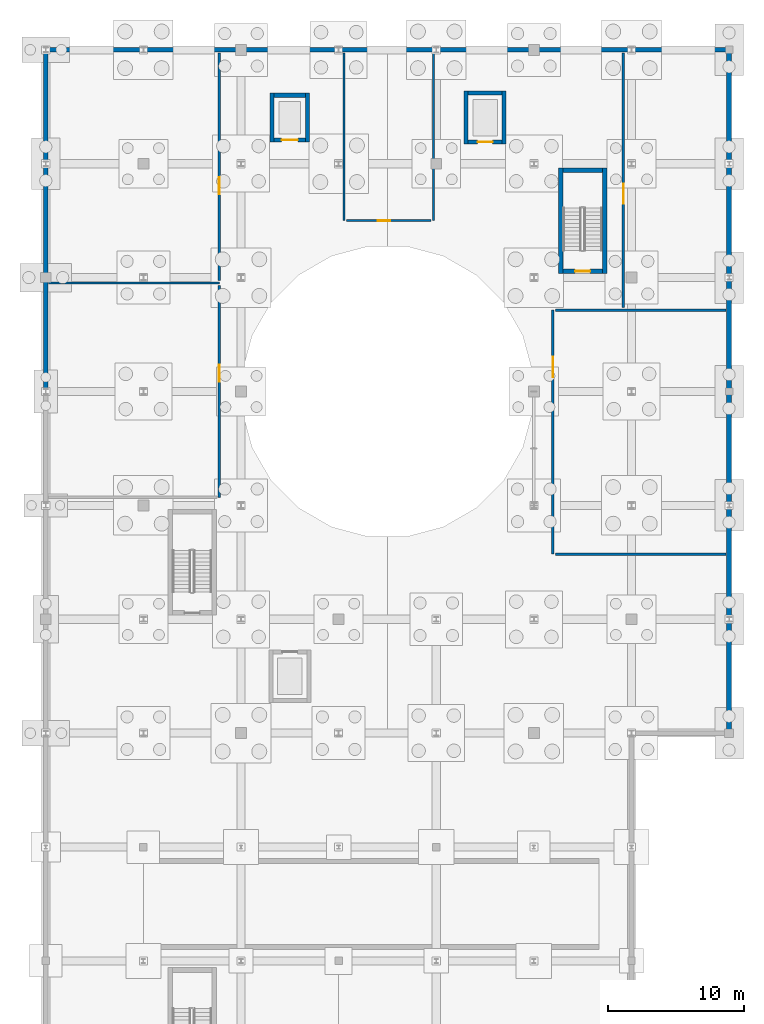
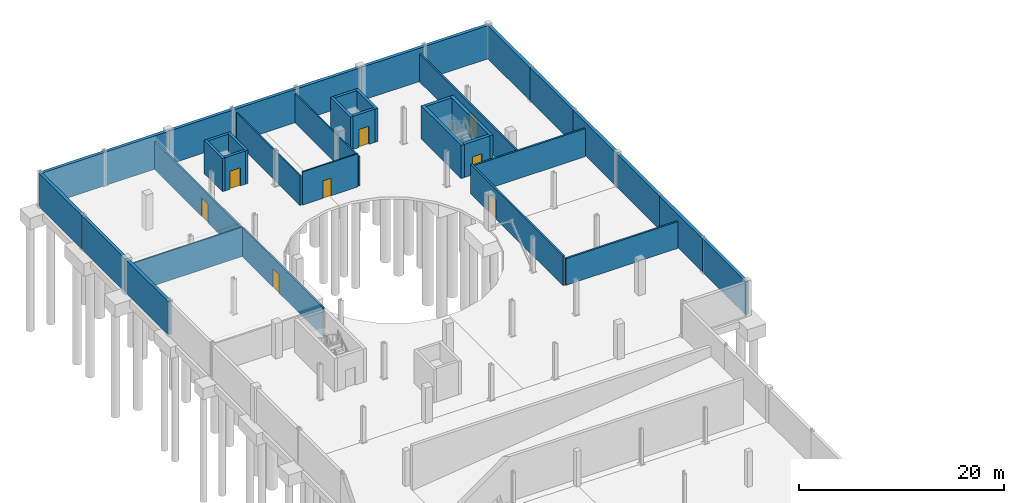
# One storey, part 23 of 32: 38 walls, 8 doors, 8 openings.
"""IFC4 building model written with IfcOpenShell, lengths in metres."""

from ifc_helpers import new_model, si_unit, direction, frame, frame_2d, origin, place, context, subcontext, project, spatial, rectangle, extrude, material, layer, layer_set, type_object, element, fill, save


model = new_model("IFC4")

# Units and contexts
model_context = context("Model", 3, precision=1e-05, world=origin(), true_north=direction((0.0, 1.0)))
body_context = subcontext(model_context, "Body", "Model", "MODEL_VIEW")
ifc_project = project(units=[si_unit("LENGTHUNIT", "METRE"), si_unit("AREAUNIT", "SQUARE_METRE"), si_unit("VOLUMEUNIT", "CUBIC_METRE"), si_unit("PLANEANGLEUNIT", "RADIAN"), si_unit("MASSUNIT", "GRAM", prefix="KILO")], contexts=[model_context])

# Site, building, storey
site_placement = place(None, origin())
site = spatial("IfcSite", under=ifc_project, at=site_placement, CompositionType="ELEMENT")
building_placement = place(site_placement, origin())
building = spatial("IfcBuilding", under=site, at=building_placement, Name="Qelthora Terrace Specialist Clinic", CompositionType="ELEMENT")
storey_placement = place(building_placement, frame((0.0, 0.0, -4.199951171875)))
storey = spatial("IfcBuildingStorey", under=building, at=storey_placement, Name="B1", CompositionType="ELEMENT", Elevation=-4.199951171875)

# Walls
ifc_material_1 = material(Name="Concrete C40/50", Category="concrete")
ifc_layer_1 = layer(ifc_material_1, 0.300048828125)
ifc_layer_set_1 = layer_set([ifc_layer_1], Name="Concrete C40/50")
wall_type_1 = type_object("IfcWallType", Name="WAL-CORE-300-C40", PredefinedType="SHEAR", material=ifc_layer_set_1)
for number, where, z_axis, x_axis, name in (
    (1, (31.0, 102.25, 0.0), (0.0, 0.0, 1.0), (0.0, 1.0, 0.0), "Lift SL-02 B1 west shaft wall"),
    (2, (33.800048828125, 102.25, 0.0), (0.0, 0.0, 1.0), (0.0, 1.0, 0.0), "Lift SL-02 B1 east shaft wall"),
):
    element("IfcWall", number, at=place(storey_placement, frame(where, z_axis=z_axis, x_axis=x_axis)), inside=storey, type_object=wall_type_1, Name=name, PredefinedType="SHEAR", context=body_context, shape_type="SweptSolid", body=[
        extrude(rectangle(XDim=3.89990234375, YDim=0.300048828125, at=frame_2d((1.949951171875, 0.0))), origin(), (0.0, 0.0, 1.0), 3.9599609375),
    ])
wall_1_placement = place(storey_placement, frame((31.14990234375, 106.0, 0.0), z_axis=(0.0, 0.0, 1.0), x_axis=(1.0, 0.0, 0.0)))
element("IfcWall", 3, at=wall_1_placement, inside=storey, type_object=wall_type_1, Name="Lift SL-02 B1 north shaft wall", PredefinedType="SHEAR", context=body_context, shape_type="SweptSolid", body=[
    extrude(rectangle(XDim=2.5, YDim=0.300048828125, at=frame_2d((1.25, 0.0))), origin(), (0.0, 0.0, 1.0), 3.9599609375),
])

# Wall, opening, door
wall_2_placement = place(storey_placement, frame((31.14990234375, 102.39990234375, 0.0), z_axis=(0.0, 0.0, 1.0), x_axis=(1.0, 0.0, 0.0)))
wall_2 = element("IfcWall", 4, at=wall_2_placement, inside=storey, type_object=wall_type_1, Name="Lift SL-02 B1 south shaft wall", PredefinedType="SHEAR", context=body_context, shape_type="SweptSolid", body=[
    extrude(rectangle(XDim=2.5, YDim=0.300048828125, at=frame_2d((1.25, 0.0))), origin(), (0.0, 0.0, 1.0), 3.9599609375),
])
opening_1_placement = place(wall_2_placement, frame((0.699951171875, 0.0, 0.0)))
opening_1 = element("IfcOpeningElement", 5, at=opening_1_placement, cuts=wall_2, Name="Opening LD-SL-02-B1", PredefinedType="OPENING", context=body_context, shape_type="SweptSolid", body=[
    extrude(rectangle(XDim=1.10009765625, YDim=2.14990234375, at=frame_2d((0.550048828125, 1.074951171875))), frame((0.0, 0.159912109375, 0.0), z_axis=(0.0, -1.0, 0.0), x_axis=(1.0, 0.0, 0.0)), (0.0, 0.0, 1.0), 0.320068359375),
])
ifc_material_2 = material(Name="Steel S355", Category="steel")
door_type_1 = type_object("IfcDoorType", Name="DOR-LIFT-1100X2150", OperationType="NOTDEFINED", PredefinedType="DOOR", material=ifc_material_2)
door_1_placement = place(opening_1_placement, origin())
door_1 = element("IfcDoor", 6, at=door_1_placement, inside=storey, type_object=door_type_1, Name="Lift landing sliding door LD-SL-02-B1", OperationType="DOUBLE_DOOR_SLIDING", OverallHeight=2.14990234375, OverallWidth=1.10009765625, PredefinedType="DOOR", context=body_context, shape_type="SweptSolid", body=[
    extrude(rectangle(XDim=1.10009765625, YDim=2.14990234375, at=frame_2d((0.550048828125, 1.074951171875))), frame((0.0, 0.02490234375, 0.0), z_axis=(0.0, -1.0, 0.0), x_axis=(1.0, 0.0, 0.0)), (0.0, 0.0, 1.0), 0.050048828125),
])
fill(opening_1, door_1)

# Walls
for number, where, z_axis, x_axis, name in (
    (7, (16.699951171875, 102.39990234375, 0.0), (0.0, 0.0, 1.0), (0.0, 1.0, 0.0), "Lift GL-01 B1 west shaft wall"),
    (8, (19.300048828125, 102.39990234375, 0.0), (0.0, 0.0, 1.0), (0.0, 1.0, 0.0), "Lift GL-01 B1 east shaft wall"),
):
    element("IfcWall", number, at=place(storey_placement, frame(where, z_axis=z_axis, x_axis=x_axis)), inside=storey, type_object=wall_type_1, Name=name, PredefinedType="SHEAR", context=body_context, shape_type="SweptSolid", body=[
        extrude(rectangle(XDim=3.60009765625, YDim=0.300048828125, at=frame_2d((1.800048828125, 0.0))), origin(), (0.0, 0.0, 1.0), 3.9599609375),
    ])
wall_3_placement = place(storey_placement, frame((16.85009765625, 105.85009765625, 0.0), z_axis=(0.0, 0.0, 1.0), x_axis=(1.0, 0.0, 0.0)))
element("IfcWall", 9, at=wall_3_placement, inside=storey, type_object=wall_type_1, Name="Lift GL-01 B1 north shaft wall", PredefinedType="SHEAR", context=body_context, shape_type="SweptSolid", body=[
    extrude(rectangle(XDim=2.2998046875, YDim=0.300048828125, at=frame_2d((1.14990234375, 0.0))), origin(), (0.0, 0.0, 1.0), 3.9599609375),
])

# Wall, opening, door
wall_4_placement = place(storey_placement, frame((16.85009765625, 102.550048828125, 0.0), z_axis=(0.0, 0.0, 1.0), x_axis=(1.0, 0.0, 0.0)))
wall_4 = element("IfcWall", 10, at=wall_4_placement, inside=storey, type_object=wall_type_1, Name="Lift GL-01 B1 south shaft wall", PredefinedType="SHEAR", context=body_context, shape_type="SweptSolid", body=[
    extrude(rectangle(XDim=2.2998046875, YDim=0.300048828125, at=frame_2d((1.14990234375, 0.0))), origin(), (0.0, 0.0, 1.0), 3.9599609375),
])
opening_2_placement = place(wall_4_placement, frame((0.550048828125, 0.0, 0.0)))
opening_2 = element("IfcOpeningElement", 11, at=opening_2_placement, cuts=wall_4, Name="Opening LD-GL-01-B1", PredefinedType="OPENING", context=body_context, shape_type="SweptSolid", body=[
    extrude(rectangle(XDim=1.199951171875, YDim=2.14990234375, at=frame_2d((0.60009765625, 1.074951171875))), frame((0.0, 0.159912109375, 0.0), z_axis=(0.0, -1.0, 0.0), x_axis=(1.0, 0.0, 0.0)), (0.0, 0.0, 1.0), 0.320068359375),
])
door_type_2 = type_object("IfcDoorType", Name="DOR-LIFT-1200X2150", OperationType="NOTDEFINED", PredefinedType="DOOR", material=ifc_material_2)
door_2_placement = place(opening_2_placement, origin())
door_2 = element("IfcDoor", 12, at=door_2_placement, inside=storey, type_object=door_type_2, Name="Lift landing sliding door LD-GL-01-B1", OperationType="DOUBLE_DOOR_SLIDING", OverallHeight=2.14990234375, OverallWidth=1.199951171875, PredefinedType="DOOR", context=body_context, shape_type="SweptSolid", body=[
    extrude(rectangle(XDim=1.199951171875, YDim=2.14990234375, at=frame_2d((0.60009765625, 1.074951171875))), frame((0.0, 0.02490234375, 0.0), z_axis=(0.0, -1.0, 0.0), x_axis=(1.0, 0.0, 0.0)), (0.0, 0.0, 1.0), 0.050048828125),
])
fill(opening_2, door_2)

# Walls
ifc_layer_2 = layer(ifc_material_1, 0.35009765625)
ifc_layer_set_2 = layer_set([ifc_layer_2], Name="Concrete C40/50")
wall_type_2 = type_object("IfcWallType", Name="WAL-CORE-350-C40", PredefinedType="SHEAR", material=ifc_layer_set_2)
for number, where, z_axis, x_axis, name in (
    (13, (37.97509765625, 92.699951171875, 0.0), (0.0, 0.0, 1.0), (0.0, 1.0, 0.0), "ST-02 B1 west shear core wall"),
    (14, (41.22509765625, 92.699951171875, 0.0), (0.0, 0.0, 1.0), (0.0, 1.0, 0.0), "ST-02 B1 east shear core wall"),
):
    element("IfcWall", number, at=place(storey_placement, frame(where, z_axis=z_axis, x_axis=x_axis)), inside=storey, type_object=wall_type_2, Name=name, PredefinedType="SHEAR", context=body_context, shape_type="SweptSolid", body=[
        extrude(rectangle(XDim=7.800048828125, YDim=0.35009765625, at=frame_2d((3.89990234375, 0.0))), origin(), (0.0, 0.0, 1.0), 3.9599609375),
    ])
wall_5_placement = place(storey_placement, frame((38.14990234375, 100.324951171875, 0.0), z_axis=(0.0, 0.0, 1.0), x_axis=(1.0, 0.0, 0.0)))
element("IfcWall", 15, at=wall_5_placement, inside=storey, type_object=wall_type_2, Name="ST-02 B1 north shear core wall", PredefinedType="SHEAR", context=body_context, shape_type="SweptSolid", body=[
    extrude(rectangle(XDim=2.900146484375, YDim=0.35009765625, at=frame_2d((1.4501953125, 0.0))), origin(), (0.0, 0.0, 1.0), 3.9599609375),
])

# Wall, opening, door
wall_6_placement = place(storey_placement, frame((38.14990234375, 92.875, 0.0), z_axis=(0.0, 0.0, 1.0), x_axis=(1.0, 0.0, 0.0)))
wall_6 = element("IfcWall", 16, at=wall_6_placement, inside=storey, type_object=wall_type_2, Name="ST-02 B1 south shear core wall", PredefinedType="SHEAR", context=body_context, shape_type="SweptSolid", body=[
    extrude(rectangle(XDim=2.900146484375, YDim=0.35009765625, at=frame_2d((1.4501953125, 0.0))), origin(), (0.0, 0.0, 1.0), 3.9599609375),
])
opening_3_placement = place(wall_6_placement, frame((0.89990234375, 0.0, 0.0)))
opening_3 = element("IfcOpeningElement", 17, at=opening_3_placement, cuts=wall_6, Name="Opening D-ST-02-B1", PredefinedType="OPENING", context=body_context, shape_type="SweptSolid", body=[
    extrude(rectangle(XDim=1.10009765625, YDim=2.14990234375, at=frame_2d((0.550048828125, 1.074951171875))), frame((0.0, 0.18505859375, 0.0), z_axis=(0.0, -1.0, 0.0), x_axis=(1.0, 0.0, 0.0)), (0.0, 0.0, 1.0), 0.3701171875),
])
door_type_3 = type_object("IfcDoorType", Name="DOR-STAIR-1100X2150", OperationType="NOTDEFINED", PredefinedType="DOOR", material=ifc_material_2)
door_3_placement = place(opening_3_placement, origin())
door_3 = element("IfcDoor", 18, at=door_3_placement, inside=storey, type_object=door_type_3, Name="Stair fire door D-ST-02-B1", OperationType="SINGLE_SWING_LEFT", OverallHeight=2.14990234375, OverallWidth=1.10009765625, PredefinedType="DOOR", context=body_context, shape_type="SweptSolid", body=[
    extrude(rectangle(XDim=1.10009765625, YDim=2.14990234375, at=frame_2d((0.550048828125, 1.074951171875))), frame((0.0, 0.02490234375, 0.0), z_axis=(0.0, -1.0, 0.0), x_axis=(1.0, 0.0, 0.0)), (0.0, 0.0, 1.0), 0.050048828125),
])
fill(opening_3, door_3)

# Wall
ifc_material_3 = material(Name="Gypsum acoustic wallboard", Category="gypsum")
ifc_layer_3 = layer(ifc_material_3, 0.139892578125)
ifc_layer_set_3 = layer_set([ifc_layer_3], Name="Gypsum acoustic wallboard")
wall_type_3 = type_object("IfcWallType", Name="WAL-INT-ACU-140", PredefinedType="PARTITIONING", material=ifc_layer_set_3)
wall_7_placement = place(storey_placement, frame((0.219970703125, 92.0, 0.0), z_axis=(0.0, 0.0, 1.0), x_axis=(1.0, 0.0, 0.0)))
element("IfcWall", 19, at=wall_7_placement, inside=storey, type_object=wall_type_3, Name="Interior clinical partition IWAL-B1-0010", PredefinedType="PARTITIONING", context=body_context, shape_type="SweptSolid", body=[
    extrude(rectangle(XDim=12.580078125, YDim=0.139892578125, at=frame_2d((6.2900390625, 0.0))), origin(), (0.0, 0.0, 1.0), 3.48486328125),
])

# Wall, opening, door
ifc_material_4 = material(Name="Gypsum fire-rated wallboard", Category="gypsum")
ifc_layer_4 = layer(ifc_material_4, 0.179931640625)
ifc_layer_set_4 = layer_set([ifc_layer_4], Name="Gypsum fire-rated wallboard")
wall_type_4 = type_object("IfcWallType", Name="WAL-INT-CLN-180", PredefinedType="PARTITIONING", material=ifc_layer_set_4)
wall_8_placement = place(storey_placement, frame((12.800048828125, 108.97998046875, 0.0), z_axis=(0.0, 0.0, 1.0), x_axis=(0.0, -1.0, 0.0)))
wall_8 = element("IfcWall", 20, at=wall_8_placement, inside=storey, type_object=wall_type_4, Name="Interior clinical partition IWAL-B1-0013", PredefinedType="PARTITIONING", context=body_context, shape_type="SweptSolid", body=[
    extrude(rectangle(XDim=16.800048828125, YDim=0.179931640625, at=frame_2d((8.39990234375, 0.0))), origin(), (0.0, 0.0, 1.0), 3.327880859375),
])
opening_4_placement = place(wall_8_placement, frame((9.175048828125, 0.0, 0.0)))
opening_4 = element("IfcOpeningElement", 21, at=opening_4_placement, cuts=wall_8, Name="Opening DI-B1-0006", PredefinedType="OPENING", context=body_context, shape_type="SweptSolid", body=[
    extrude(rectangle(XDim=1.25, YDim=2.199951171875, at=frame_2d((0.625, 1.10009765625))), frame((0.0, 0.099853515625, 0.0), z_axis=(0.0, -1.0, 0.0), x_axis=(1.0, 0.0, 0.0)), (0.0, 0.0, 1.0), 0.199951171875),
])
door_type_4 = type_object("IfcDoorType", Name="DOR-STR-1250X2200", OperationType="NOTDEFINED", PredefinedType="DOOR", material=ifc_material_2)
door_4_placement = place(opening_4_placement, frame((1.25, 0.0, 0.0), z_axis=(0.0, 0.0, 1.0), x_axis=(-1.0, 0.0, 0.0)))
door_4 = element("IfcDoor", 22, at=door_4_placement, inside=storey, type_object=door_type_4, Name="Interior clinical door DI-B1-0006", OperationType="SINGLE_SWING_LEFT", OverallHeight=2.199951171875, OverallWidth=1.25, PredefinedType="DOOR", context=body_context, shape_type="SweptSolid", body=[
    extrude(rectangle(XDim=1.25, YDim=2.199951171875, at=frame_2d((0.625, 1.10009765625))), frame((0.0, 0.02490234375, 0.0), z_axis=(0.0, -1.0, 0.0), x_axis=(1.0, 0.0, 0.0)), (0.0, 0.0, 1.0), 0.050048828125),
])
fill(opening_4, door_4)

ifc_layer_5 = layer(ifc_material_4, 0.159912109375)
ifc_layer_set_5 = layer_set([ifc_layer_5], Name="Gypsum fire-rated wallboard")
wall_type_5 = type_object("IfcWallType", Name="WAL-INT-COR-160", PredefinedType="PARTITIONING", material=ifc_layer_set_5)
wall_9_placement = place(storey_placement, frame((12.800048828125, 91.820068359375, 0.0), z_axis=(0.0, 0.0, 1.0), x_axis=(0.0, -1.0, 0.0)))
wall_9 = element("IfcWall", 23, at=wall_9_placement, inside=storey, type_object=wall_type_5, Name="Interior clinical partition IWAL-B1-0011", PredefinedType="PARTITIONING", context=body_context, shape_type="SweptSolid", body=[
    extrude(rectangle(XDim=15.6201171875, YDim=0.159912109375, at=frame_2d((7.81005859375, 0.0))), origin(), (0.0, 0.0, 1.0), 3.48486328125),
])
opening_5_placement = place(wall_9_placement, frame((5.85498046875, 0.0, 0.0)))
opening_5 = element("IfcOpeningElement", 24, at=opening_5_placement, cuts=wall_9, Name="Opening DI-B1-0005", PredefinedType="OPENING", context=body_context, shape_type="SweptSolid", body=[
    extrude(rectangle(XDim=1.25, YDim=2.199951171875, at=frame_2d((0.625, 1.10009765625))), frame((0.0, 0.08984375, 0.0), z_axis=(0.0, -1.0, 0.0), x_axis=(1.0, 0.0, 0.0)), (0.0, 0.0, 1.0), 0.179931640625),
])
door_5_placement = place(opening_5_placement, frame((1.25, 0.0, 0.0), z_axis=(0.0, 0.0, 1.0), x_axis=(-1.0, 0.0, 0.0)))
door_5 = element("IfcDoor", 25, at=door_5_placement, inside=storey, type_object=door_type_4, Name="Interior clinical door DI-B1-0005", OperationType="SINGLE_SWING_RIGHT", OverallHeight=2.199951171875, OverallWidth=1.25, PredefinedType="DOOR", context=body_context, shape_type="SweptSolid", body=[
    extrude(rectangle(XDim=1.25, YDim=2.199951171875, at=frame_2d((0.625, 1.10009765625))), frame((0.0, 0.02490234375, 0.0), z_axis=(0.0, -1.0, 0.0), x_axis=(1.0, 0.0, 0.0)), (0.0, 0.0, 1.0), 0.050048828125),
])
fill(opening_5, door_5)

ifc_layer_6 = layer(ifc_material_4, 0.199951171875)
ifc_layer_set_6 = layer_set([ifc_layer_6], Name="Gypsum fire-rated wallboard")
wall_type_6 = type_object("IfcWallType", Name="WAL-INT-SMK-200", PredefinedType="PARTITIONING", material=ifc_layer_set_6)
wall_10_placement = place(storey_placement, frame((37.39990234375, 72.0, 0.0), z_axis=(0.0, 0.0, 1.0), x_axis=(0.0, 1.0, 0.0)))
wall_10 = element("IfcWall", 26, at=wall_10_placement, inside=storey, type_object=wall_type_6, Name="Interior clinical partition IWAL-B1-0014", PredefinedType="PARTITIONING", context=body_context, shape_type="SweptSolid", body=[
    extrude(rectangle(XDim=18.0, YDim=0.199951171875, at=frame_2d((9.0, 0.0))), origin(), (0.0, 0.0, 1.0), 3.534912109375),
])
opening_6_placement = place(wall_10_placement, frame((13.050048828125, 0.0, 0.0)))
opening_6 = element("IfcOpeningElement", 27, at=opening_6_placement, cuts=wall_10, Name="Opening DI-B1-0007", PredefinedType="OPENING", context=body_context, shape_type="SweptSolid", body=[
    extrude(rectangle(XDim=1.5, YDim=2.25, at=frame_2d((0.75, 1.125))), frame((0.0, 0.10986328125, 0.0), z_axis=(0.0, -1.0, 0.0), x_axis=(1.0, 0.0, 0.0)), (0.0, 0.0, 1.0), 0.219970703125),
])
door_type_5 = type_object("IfcDoorType", Name="DOR-PLT-1500X2250", OperationType="NOTDEFINED", PredefinedType="DOOR", material=ifc_material_2)
door_6_placement = place(opening_6_placement, frame((1.5, 0.0, 0.0), z_axis=(0.0, 0.0, 1.0), x_axis=(-1.0, 0.0, 0.0)))
door_6 = element("IfcDoor", 28, at=door_6_placement, inside=storey, type_object=door_type_5, Name="Interior clinical door DI-B1-0007", OperationType="SINGLE_SWING_RIGHT", OverallHeight=2.25, OverallWidth=1.5, PredefinedType="DOOR", context=body_context, shape_type="SweptSolid", body=[
    extrude(rectangle(XDim=1.5, YDim=2.25, at=frame_2d((0.75, 1.125))), frame((0.0, 0.02490234375, 0.0), z_axis=(0.0, -1.0, 0.0), x_axis=(1.0, 0.0, 0.0)), (0.0, 0.0, 1.0), 0.050048828125),
])
fill(opening_6, door_6)

# Walls
wall_11_placement = place(storey_placement, frame((37.580078125, 90.0, 0.0), z_axis=(0.0, 0.0, 1.0), x_axis=(1.0, 0.0, 0.0)))
element("IfcWall", 29, at=wall_11_placement, inside=storey, type_object=wall_type_6, Name="Interior clinical partition IWAL-B1-0015", PredefinedType="PARTITIONING", context=body_context, shape_type="SweptSolid", body=[
    extrude(rectangle(XDim=12.599853515625, YDim=0.199951171875, at=frame_2d((6.2998046875, 0.0))), origin(), (0.0, 0.0, 1.0), 3.327880859375),
])
wall_12_placement = place(storey_placement, frame((50.179931640625, 72.0, 0.0), z_axis=(0.0, 0.0, 1.0), x_axis=(-1.0, 0.0, 0.0)))
element("IfcWall", 30, at=wall_12_placement, inside=storey, type_object=wall_type_6, Name="Interior clinical partition IWAL-B1-0016", PredefinedType="PARTITIONING", context=body_context, shape_type="SweptSolid", body=[
    extrude(rectangle(XDim=12.599853515625, YDim=0.199951171875, at=frame_2d((6.2998046875, 0.0))), origin(), (0.0, 0.0, 1.0), 3.175048828125),
])

# Wall, opening, door
wall_13_placement = place(storey_placement, frame((42.60009765625, 90.179931640625, 0.0), z_axis=(0.0, 0.0, 1.0), x_axis=(0.0, 1.0, 0.0)))
wall_13 = element("IfcWall", 31, at=wall_13_placement, inside=storey, type_object=wall_type_6, Name="Interior clinical partition IWAL-B1-0017", PredefinedType="PARTITIONING", context=body_context, shape_type="SweptSolid", body=[
    extrude(rectangle(XDim=18.800048828125, YDim=0.199951171875, at=frame_2d((9.39990234375, 0.0))), origin(), (0.0, 0.0, 1.0), 3.3330078125),
])
opening_7_placement = place(wall_13_placement, frame((7.64990234375, 0.0, 0.0)))
opening_7 = element("IfcOpeningElement", 32, at=opening_7_placement, cuts=wall_13, Name="Opening DI-B1-0008", PredefinedType="OPENING", context=body_context, shape_type="SweptSolid", body=[
    extrude(rectangle(XDim=1.5, YDim=2.25, at=frame_2d((0.75, 1.125))), frame((0.0, 0.10986328125, 0.0), z_axis=(0.0, -1.0, 0.0), x_axis=(1.0, 0.0, 0.0)), (0.0, 0.0, 1.0), 0.219970703125),
])
door_7_placement = place(opening_7_placement, frame((1.5, 0.0, 0.0), z_axis=(0.0, 0.0, 1.0), x_axis=(-1.0, 0.0, 0.0)))
door_7 = element("IfcDoor", 33, at=door_7_placement, inside=storey, type_object=door_type_5, Name="Interior clinical door DI-B1-0008", OperationType="SINGLE_SWING_LEFT", OverallHeight=2.25, OverallWidth=1.5, PredefinedType="DOOR", context=body_context, shape_type="SweptSolid", body=[
    extrude(rectangle(XDim=1.5, YDim=2.25, at=frame_2d((0.75, 1.125))), frame((0.0, 0.02490234375, 0.0), z_axis=(0.0, -1.0, 0.0), x_axis=(1.0, 0.0, 0.0)), (0.0, 0.0, 1.0), 0.050048828125),
])
fill(opening_7, door_7)

# Walls
ifc_material_5 = material(Name="Gypsum moisture-resistant", Category="gypsum")
ifc_layer_7 = layer(ifc_material_5, 0.14990234375)
ifc_layer_set_7 = layer_set([ifc_layer_7], Name="Gypsum moisture-resistant")
wall_type_7 = type_object("IfcWallType", Name="WAL-INT-WET-150", PredefinedType="PLUMBINGWALL", material=ifc_layer_set_7)
wall_14_placement = place(storey_placement, frame((22.0, 96.60009765625, 0.0), z_axis=(0.0, 0.0, 1.0), x_axis=(0.0, 1.0, 0.0)))
element("IfcWall", 34, at=wall_14_placement, inside=storey, type_object=wall_type_7, Name="Interior clinical partition IWAL-B1-0018", PredefinedType="PLUMBINGWALL", context=body_context, shape_type="SweptSolid", body=[
    extrude(rectangle(XDim=12.3798828125, YDim=0.14990234375, at=frame_2d((6.18994140625, 0.0))), origin(), (0.0, 0.0, 1.0), 3.531982421875),
])
wall_15_placement = place(storey_placement, frame((28.60009765625, 108.97998046875, 0.0), z_axis=(0.0, 0.0, 1.0), x_axis=(0.0, -1.0, 0.0)))
element("IfcWall", 35, at=wall_15_placement, inside=storey, type_object=wall_type_7, Name="Interior clinical partition IWAL-B1-0019", PredefinedType="PLUMBINGWALL", context=body_context, shape_type="SweptSolid", body=[
    extrude(rectangle(XDim=12.3798828125, YDim=0.14990234375, at=frame_2d((6.18994140625, 0.0))), origin(), (0.0, 0.0, 1.0), 3.48486328125),
])

# Wall, opening, door
wall_16_placement = place(storey_placement, frame((28.419921875, 96.60009765625, 0.0), z_axis=(0.0, 0.0, 1.0), x_axis=(-1.0, 0.0, 0.0)))
wall_16 = element("IfcWall", 36, at=wall_16_placement, inside=storey, type_object=wall_type_7, Name="Interior clinical partition IWAL-B1-0020", PredefinedType="PLUMBINGWALL", context=body_context, shape_type="SweptSolid", body=[
    extrude(rectangle(XDim=6.239990234375, YDim=0.14990234375, at=frame_2d((3.1201171875, 0.0))), origin(), (0.0, 0.0, 1.0), 3.945068359375),
])
opening_8_placement = place(wall_16_placement, frame((3.030029296875, 0.0, 0.0)))
opening_8 = element("IfcOpeningElement", 37, at=opening_8_placement, cuts=wall_16, Name="Opening DI-B1-0009", PredefinedType="OPENING", context=body_context, shape_type="SweptSolid", body=[
    extrude(rectangle(XDim=0.89990234375, YDim=2.10009765625, at=frame_2d((0.449951171875, 1.050048828125))), frame((0.0, 0.0849609375, 0.0), z_axis=(0.0, -1.0, 0.0), x_axis=(1.0, 0.0, 0.0)), (0.0, 0.0, 1.0), 0.169921875),
])
ifc_material_6 = material(Name="Glulam timber GL28h", Category="wood")
door_type_6 = type_object("IfcDoorType", Name="DOR-WC-900X2100", OperationType="NOTDEFINED", PredefinedType="DOOR", material=ifc_material_6)
door_8_placement = place(opening_8_placement, frame((0.89990234375, 0.0, 0.0), z_axis=(0.0, 0.0, 1.0), x_axis=(-1.0, 0.0, 0.0)))
door_8 = element("IfcDoor", 38, at=door_8_placement, inside=storey, type_object=door_type_6, Name="Interior clinical door DI-B1-0009", OperationType="SINGLE_SWING_RIGHT", OverallHeight=2.10009765625, OverallWidth=0.89990234375, PredefinedType="DOOR", context=body_context, shape_type="SweptSolid", body=[
    extrude(rectangle(XDim=0.89990234375, YDim=2.10009765625, at=frame_2d((0.449951171875, 1.050048828125))), frame((0.0, 0.02490234375, 0.0), z_axis=(0.0, -1.0, 0.0), x_axis=(1.0, 0.0, 0.0)), (0.0, 0.0, 1.0), 0.050048828125),
])
fill(opening_8, door_8)

# Walls
ifc_material_7 = material(Name="Concrete C35/45", Category="concrete")
ifc_layer_8 = layer(ifc_material_7, 0.35009765625)
ifc_layer_set_8 = layer_set([ifc_layer_8], Name="Concrete C35/45")
wall_type_8 = type_object("IfcWallType", Name="WAL-RET-350-C35", PredefinedType="USERDEFINED", material=ifc_layer_set_8)
wall_17_placement = place(storey_placement, frame((0.0, 84.0, 0.0), z_axis=(0.0, 0.0, 1.0), x_axis=(0.0, 1.0, 0.0)))
element("IfcWall", 39, at=wall_17_placement, inside=storey, type_object=wall_type_8, Name="Drained concrete retaining wall RET-B1-011", ObjectType="RETAINING WALL", PredefinedType="USERDEFINED", context=body_context, shape_type="SweptSolid", body=[
    extrude(rectangle(XDim=8.39990234375, YDim=0.35009765625, at=frame_2d((4.199951171875, 0.0))), origin(), (0.0, 0.0, 1.0), 3.9599609375),
])
wall_18_placement = place(storey_placement, frame((0.0, 92.39990234375, 0.0), z_axis=(0.0, 0.0, 1.0), x_axis=(0.0, 1.0, 0.0)))
element("IfcWall", 40, at=wall_18_placement, inside=storey, type_object=wall_type_8, Name="Drained concrete retaining wall RET-B1-012", ObjectType="RETAINING WALL", PredefinedType="USERDEFINED", context=body_context, shape_type="SweptSolid", body=[
    extrude(rectangle(XDim=8.400146484375, YDim=0.35009765625, at=frame_2d((4.2001953125, 0.0))), origin(), (0.0, 0.0, 1.0), 3.9599609375),
])
for number, where, z_axis, x_axis, name in (
    (41, (0.0, 100.800048828125, 0.0), (0.0, 0.0, 1.0), (0.0, 1.0, 0.0), "Drained concrete retaining wall RET-B1-013"),
    (42, (50.39990234375, 58.800048828125, 0.0), (0.0, 0.0, 1.0), (0.0, 1.0, 0.0), "Drained concrete retaining wall RET-B1-021"),
):
    element("IfcWall", number, at=place(storey_placement, frame(where, z_axis=z_axis, x_axis=x_axis)), inside=storey, type_object=wall_type_8, Name=name, ObjectType="RETAINING WALL", PredefinedType="USERDEFINED", context=body_context, shape_type="SweptSolid", body=[
        extrude(rectangle(XDim=8.39990234375, YDim=0.35009765625, at=frame_2d((4.199951171875, 0.0))), origin(), (0.0, 0.0, 1.0), 3.9599609375),
    ])
wall_19_placement = place(storey_placement, frame((50.39990234375, 67.199951171875, 0.0), z_axis=(0.0, 0.0, 1.0), x_axis=(0.0, 1.0, 0.0)))
element("IfcWall", 43, at=wall_19_placement, inside=storey, type_object=wall_type_8, Name="Drained concrete retaining wall RET-B1-022", ObjectType="RETAINING WALL", PredefinedType="USERDEFINED", context=body_context, shape_type="SweptSolid", body=[
    extrude(rectangle(XDim=8.400146484375, YDim=0.35009765625, at=frame_2d((4.2001953125, 0.0))), origin(), (0.0, 0.0, 1.0), 3.9599609375),
])
for number, where, z_axis, x_axis, name in (
    (44, (50.39990234375, 75.60009765625, 0.0), (0.0, 0.0, 1.0), (0.0, 1.0, 0.0), "Drained concrete retaining wall RET-B1-023"),
    (45, (50.39990234375, 84.0, 0.0), (0.0, 0.0, 1.0), (0.0, 1.0, 0.0), "Drained concrete retaining wall RET-B1-024"),
):
    element("IfcWall", number, at=place(storey_placement, frame(where, z_axis=z_axis, x_axis=x_axis)), inside=storey, type_object=wall_type_8, Name=name, ObjectType="RETAINING WALL", PredefinedType="USERDEFINED", context=body_context, shape_type="SweptSolid", body=[
        extrude(rectangle(XDim=8.39990234375, YDim=0.35009765625, at=frame_2d((4.199951171875, 0.0))), origin(), (0.0, 0.0, 1.0), 3.9599609375),
    ])
wall_20_placement = place(storey_placement, frame((50.39990234375, 92.39990234375, 0.0), z_axis=(0.0, 0.0, 1.0), x_axis=(0.0, 1.0, 0.0)))
element("IfcWall", 46, at=wall_20_placement, inside=storey, type_object=wall_type_8, Name="Drained concrete retaining wall RET-B1-025", ObjectType="RETAINING WALL", PredefinedType="USERDEFINED", context=body_context, shape_type="SweptSolid", body=[
    extrude(rectangle(XDim=8.400146484375, YDim=0.35009765625, at=frame_2d((4.2001953125, 0.0))), origin(), (0.0, 0.0, 1.0), 3.9599609375),
])
wall_21_placement = place(storey_placement, frame((50.39990234375, 100.800048828125, 0.0), z_axis=(0.0, 0.0, 1.0), x_axis=(0.0, 1.0, 0.0)))
element("IfcWall", 47, at=wall_21_placement, inside=storey, type_object=wall_type_8, Name="Drained concrete retaining wall RET-B1-026", ObjectType="RETAINING WALL", PredefinedType="USERDEFINED", context=body_context, shape_type="SweptSolid", body=[
    extrude(rectangle(XDim=8.39990234375, YDim=0.35009765625, at=frame_2d((4.199951171875, 0.0))), origin(), (0.0, 0.0, 1.0), 3.9599609375),
])
for number, where, z_axis, x_axis, name in (
    (48, (0.0, 109.199951171875, 0.0), (0.0, 0.0, 1.0), (1.0, 0.0, 0.0), "Drained concrete retaining wall RET-B1-033"),
    (49, (7.199951171875, 109.199951171875, 0.0), (0.0, 0.0, 1.0), (1.0, 0.0, 0.0), "Drained concrete retaining wall RET-B1-034"),
):
    element("IfcWall", number, at=place(storey_placement, frame(where, z_axis=z_axis, x_axis=x_axis)), inside=storey, type_object=wall_type_8, Name=name, ObjectType="RETAINING WALL", PredefinedType="USERDEFINED", context=body_context, shape_type="SweptSolid", body=[
        extrude(rectangle(XDim=7.199951171875, YDim=0.35009765625, at=frame_2d((3.60009765625, 0.0))), origin(), (0.0, 0.0, 1.0), 3.9599609375),
    ])
wall_22_placement = place(storey_placement, frame((14.39990234375, 109.199951171875, 0.0), z_axis=(0.0, 0.0, 1.0), x_axis=(1.0, 0.0, 0.0)))
element("IfcWall", 50, at=wall_22_placement, inside=storey, type_object=wall_type_8, Name="Drained concrete retaining wall RET-B1-035", ObjectType="RETAINING WALL", PredefinedType="USERDEFINED", context=body_context, shape_type="SweptSolid", body=[
    extrude(rectangle(XDim=7.2001953125, YDim=0.35009765625, at=frame_2d((3.60009765625, 0.0))), origin(), (0.0, 0.0, 1.0), 3.9599609375),
])
for number, where, z_axis, x_axis, name in (
    (51, (21.60009765625, 109.199951171875, 0.0), (0.0, 0.0, 1.0), (1.0, 0.0, 0.0), "Drained concrete retaining wall RET-B1-036"),
    (52, (28.800048828125, 109.199951171875, 0.0), (0.0, 0.0, 1.0), (1.0, 0.0, 0.0), "Drained concrete retaining wall RET-B1-037"),
    (53, (36.0, 109.199951171875, 0.0), (0.0, 0.0, 1.0), (1.0, 0.0, 0.0), "Drained concrete retaining wall RET-B1-038"),
    (54, (43.199951171875, 109.199951171875, 0.0), (0.0, 0.0, 1.0), (1.0, 0.0, 0.0), "Drained concrete retaining wall RET-B1-039"),
):
    element("IfcWall", number, at=place(storey_placement, frame(where, z_axis=z_axis, x_axis=x_axis)), inside=storey, type_object=wall_type_8, Name=name, ObjectType="RETAINING WALL", PredefinedType="USERDEFINED", context=body_context, shape_type="SweptSolid", body=[
        extrude(rectangle(XDim=7.199951171875, YDim=0.35009765625, at=frame_2d((3.60009765625, 0.0))), origin(), (0.0, 0.0, 1.0), 3.9599609375),
    ])

save(model, "model.ifc")
